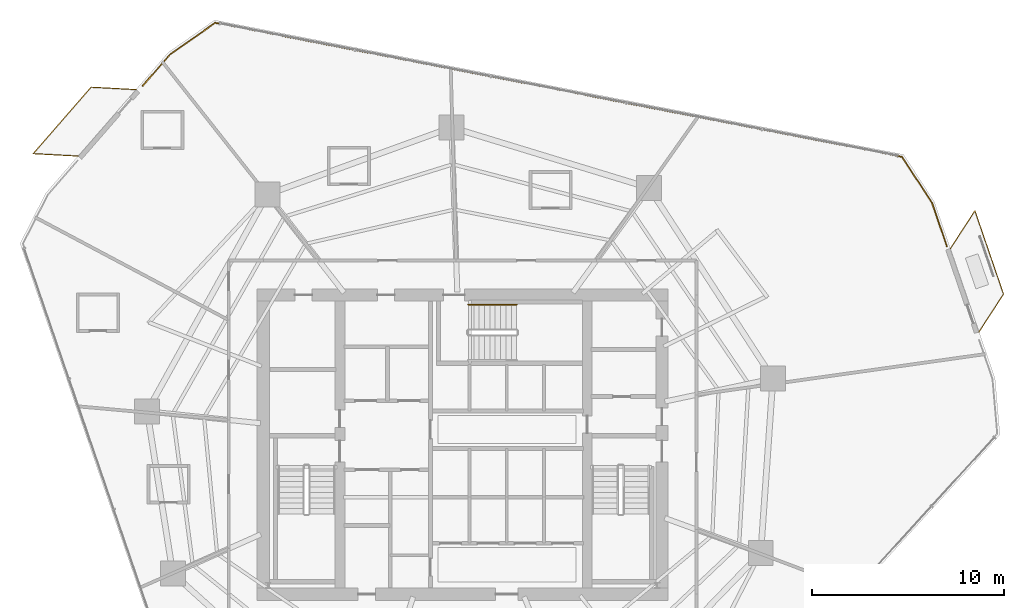
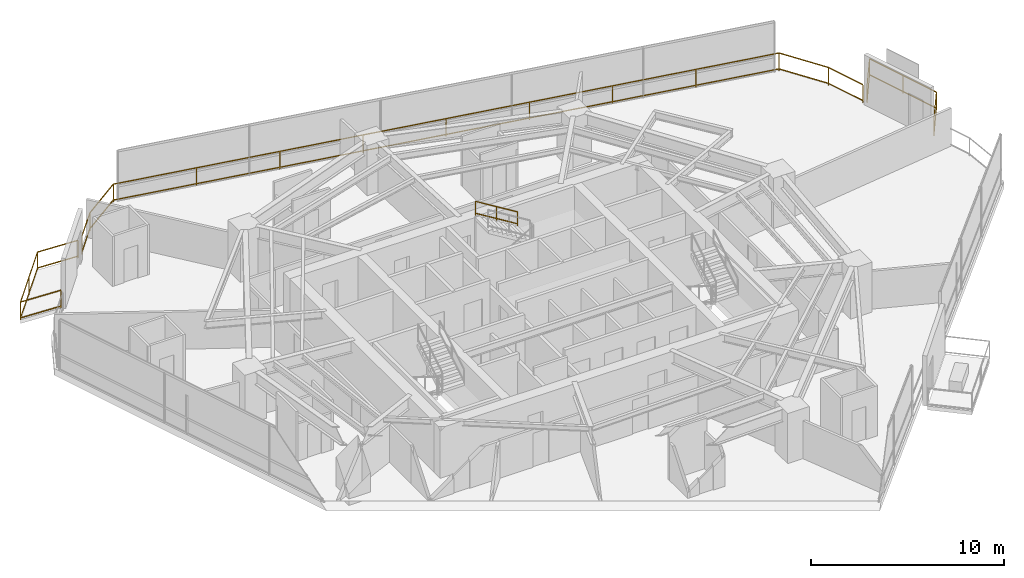
# One storey, part 33 of 33: 5 railings.
"""IFC4 building model written with IfcOpenShell, lengths in metres."""

from ifc_helpers import new_model, si_unit, direction, frame, origin, origin_2d, place, context, subcontext, project, spatial, rectangle, extrude, material, type_object, element, save


model = new_model("IFC4")

# Units and contexts
model_context = context("Model", 3, precision=1e-05, world=origin(), true_north=direction((0.0, 1.0)))
body_context = subcontext(model_context, "Body", "Model", "MODEL_VIEW")
ifc_project = project(units=[si_unit("LENGTHUNIT", "METRE"), si_unit("AREAUNIT", "SQUARE_METRE"), si_unit("VOLUMEUNIT", "CUBIC_METRE"), si_unit("PLANEANGLEUNIT", "RADIAN"), si_unit("MASSUNIT", "GRAM", prefix="KILO")], contexts=[model_context])

# Site, building, storey
site_placement = place(None, origin())
site = spatial("IfcSite", under=ifc_project, at=site_placement, CompositionType="ELEMENT")
building_placement = place(site_placement, origin())
building = spatial("IfcBuilding", under=site, at=building_placement, Name="Qarnah Convention Tower", CompositionType="ELEMENT")
storey_placement = place(building_placement, frame((0.0, 0.0, 27.0)))
storey = spatial("IfcBuildingStorey", under=building, at=storey_placement, Name="L05", CompositionType="ELEMENT", Elevation=27.0)

# Railings
ifc_material_1 = material(Name="Black anodised aluminium", Category="aluminium")
railing_type_1 = type_object("IfcRailingType", Name="RL-EXT-GUARD-1150", PredefinedType="GUARDRAIL", material=ifc_material_1)
railing_1_placement = place(storey_placement, frame((61.68896484375, 38.991943359375, 0.0)))
element("IfcRailing", 1, at=railing_1_placement, inside=storey, type_object=railing_type_1, Name="L05 slab-edge perimeter safety guard 01", PredefinedType="GUARDRAIL", context=body_context, shape_type="SweptSolid", body=[
    extrude(rectangle(XDim=0.048095703125, YDim=0.048095703125, at=origin_2d()), frame((0.0, 0.0, 1.1259765625), z_axis=(0.325191861398, -0.945648059947, 0.0), x_axis=(0.945648059947, 0.325191861398, 0.0)), (0.0, 0.0, 1.0), 2.373779296875),
    extrude(rectangle(XDim=0.048095703125, YDim=0.048095703125, at=origin_2d()), frame((0.0, 0.0, 0.1201171875), z_axis=(0.325191861398, -0.945648059947, 0.0), x_axis=(0.945648059947, 0.325191861398, 0.0)), (0.0, 0.0, 1.0), 2.373779296875),
    extrude(rectangle(XDim=0.0419921875, YDim=0.0419921875, at=origin_2d()), origin(), (0.0, 0.0, 1.0), 1.101806640625),
    extrude(rectangle(XDim=0.0419921875, YDim=0.0419921875, at=origin_2d()), frame((0.77197265625, -2.244873046875, 0.0)), (0.0, 0.0, 1.0), 1.101806640625),
])
railing_2_placement = place(storey_placement, frame((20.511962890625, 45.116943359375, 0.0)))
element("IfcRailing", 2, at=railing_2_placement, inside=storey, type_object=railing_type_1, Name="L05 slab-edge perimeter safety guard 03", PredefinedType="GUARDRAIL", context=body_context, shape_type="SweptSolid", body=[
    extrude(rectangle(XDim=0.048095703125, YDim=0.048095703125, at=origin_2d()), frame((0.0, 0.0, 1.1259765625), z_axis=(0.656368690141, 0.754440284318, 0.0), x_axis=(-0.754440284318, 0.656368690141, 0.0)), (0.0, 0.0, 1.0), 2.163330078125),
    extrude(rectangle(XDim=0.048095703125, YDim=0.048095703125, at=origin_2d()), frame((0.0, 0.0, 0.1201171875), z_axis=(0.656368690141, 0.754440284318, 0.0), x_axis=(-0.754440284318, 0.656368690141, 0.0)), (0.0, 0.0, 1.0), 2.163330078125),
    extrude(rectangle(XDim=0.048095703125, YDim=0.048095703125, at=origin_2d()), frame((1.419921875, 1.632080078125, 1.1259765625), z_axis=(0.819793510399, 0.572659235765, 0.0), x_axis=(-0.572659235765, 0.819793510399, 0.0)), (0.0, 0.0, 1.0), 2.877685546875),
    extrude(rectangle(XDim=0.048095703125, YDim=0.048095703125, at=origin_2d()), frame((1.419921875, 1.632080078125, 0.1201171875), z_axis=(0.819793510399, 0.572659235765, 0.0), x_axis=(-0.572659235765, 0.819793510399, 0.0)), (0.0, 0.0, 1.0), 2.877685546875),
    extrude(rectangle(XDim=0.048095703125, YDim=0.048095703125, at=origin_2d()), frame((3.779052734375, 3.280029296875, 1.1259765625), z_axis=(0.98149491451, -0.191488205359, 0.0), x_axis=(0.191488205359, 0.98149491451, 0.0)), (0.0, 0.0, 1.0), 36.508544921875),
    extrude(rectangle(XDim=0.048095703125, YDim=0.048095703125, at=origin_2d()), frame((3.779052734375, 3.280029296875, 0.1201171875), z_axis=(0.98149491451, -0.191488205359, 0.0), x_axis=(0.191488205359, 0.98149491451, 0.0)), (0.0, 0.0, 1.0), 36.508544921875),
    extrude(rectangle(XDim=0.048095703125, YDim=0.048095703125, at=origin_2d()), frame((39.612060546875, -3.7109375, 1.1259765625), z_axis=(0.543961849812, -0.839109948665, 0.0), x_axis=(0.839109948665, 0.543961849812, 0.0)), (0.0, 0.0, 1.0), 2.876953125),
    extrude(rectangle(XDim=0.048095703125, YDim=0.048095703125, at=origin_2d()), frame((39.612060546875, -3.7109375, 0.1201171875), z_axis=(0.543961849812, -0.839109948665, 0.0), x_axis=(0.839109948665, 0.543961849812, 0.0)), (0.0, 0.0, 1.0), 2.876953125),
    extrude(rectangle(XDim=0.0419921875, YDim=0.0419921875, at=origin_2d()), origin(), (0.0, 0.0, 1.0), 1.101806640625),
    extrude(rectangle(XDim=0.0419921875, YDim=0.0419921875, at=origin_2d()), frame((1.419921875, 1.632080078125, 0.0)), (0.0, 0.0, 1.0), 1.101806640625),
    extrude(rectangle(XDim=0.0419921875, YDim=0.0419921875, at=origin_2d()), frame((3.779052734375, 3.280029296875, 0.0)), (0.0, 0.0, 1.0), 1.101806640625),
    extrude(rectangle(XDim=0.0419921875, YDim=0.0419921875, at=origin_2d()), frame((8.25830078125, 2.40625, 0.0)), (0.0, 0.0, 1.0), 1.101806640625),
    extrude(rectangle(XDim=0.0419921875, YDim=0.0419921875, at=origin_2d()), frame((12.7373046875, 1.5322265625, 0.0)), (0.0, 0.0, 1.0), 1.101806640625),
    extrude(rectangle(XDim=0.0419921875, YDim=0.0419921875, at=origin_2d()), frame((17.21630859375, 0.658447265625, 0.0)), (0.0, 0.0, 1.0), 1.101806640625),
    extrude(rectangle(XDim=0.0419921875, YDim=0.0419921875, at=origin_2d()), frame((21.695556640625, -0.21533203125, 0.0)), (0.0, 0.0, 1.0), 1.101806640625),
    extrude(rectangle(XDim=0.0419921875, YDim=0.0419921875, at=origin_2d()), frame((26.1748046875, -1.08935546875, 0.0)), (0.0, 0.0, 1.0), 1.101806640625),
    extrude(rectangle(XDim=0.0419921875, YDim=0.0419921875, at=origin_2d()), frame((30.65380859375, -1.963134765625, 0.0)), (0.0, 0.0, 1.0), 1.101806640625),
    extrude(rectangle(XDim=0.0419921875, YDim=0.0419921875, at=origin_2d()), frame((35.1328125, -2.837158203125, 0.0)), (0.0, 0.0, 1.0), 1.101806640625),
    extrude(rectangle(XDim=0.0419921875, YDim=0.0419921875, at=origin_2d()), frame((39.612060546875, -3.7109375, 0.0)), (0.0, 0.0, 1.0), 1.101806640625),
    extrude(rectangle(XDim=0.0419921875, YDim=0.0419921875, at=origin_2d()), frame((41.177001953125, -6.125, 0.0)), (0.0, 0.0, 1.0), 1.101806640625),
])
railing_3_placement = place(storey_placement, frame((62.64501953125, 36.626953125, 0.0)))
element("IfcRailing", 3, at=railing_3_placement, inside=storey, type_object=railing_type_1, Name="L05 balcony safety guard BAL-L05-C1", PredefinedType="GUARDRAIL", context=body_context, shape_type="SweptSolid", body=[
    extrude(rectangle(XDim=0.048095703125, YDim=0.048095703125, at=origin_2d()), frame((0.0, 0.0, 1.1259765625), z_axis=(0.545233230847, 0.838284393258, 0.0), x_axis=(-0.838284393258, 0.545233230847, 0.0)), (0.0, 0.0, 1.0), 2.34765625),
    extrude(rectangle(XDim=0.048095703125, YDim=0.048095703125, at=origin_2d()), frame((0.0, 0.0, 0.1201171875), z_axis=(0.545233230847, 0.838284393258, 0.0), x_axis=(-0.838284393258, 0.545233230847, 0.0)), (0.0, 0.0, 1.0), 2.34765625),
    extrude(rectangle(XDim=0.048095703125, YDim=0.048095703125, at=origin_2d()), frame((1.280029296875, 1.968017578125, 1.1259765625), z_axis=(0.324732685551, -0.945805837863, 0.0), x_axis=(0.945805837863, 0.324732685551, 0.0)), (0.0, 0.0, 1.0), 4.600341796875),
    extrude(rectangle(XDim=0.048095703125, YDim=0.048095703125, at=origin_2d()), frame((1.280029296875, 1.968017578125, 0.1201171875), z_axis=(0.324732685551, -0.945805837863, 0.0), x_axis=(0.945805837863, 0.324732685551, 0.0)), (0.0, 0.0, 1.0), 4.600341796875),
    extrude(rectangle(XDim=0.048095703125, YDim=0.048095703125, at=origin_2d()), frame((2.77392578125, -2.383056640625, 1.1259765625), z_axis=(-0.545233230847, -0.838284393258, 0.0), x_axis=(0.838284393258, -0.545233230847, 0.0)), (0.0, 0.0, 1.0), 2.34765625),
    extrude(rectangle(XDim=0.048095703125, YDim=0.048095703125, at=origin_2d()), frame((2.77392578125, -2.383056640625, 0.1201171875), z_axis=(-0.545233230847, -0.838284393258, 0.0), x_axis=(0.838284393258, -0.545233230847, 0.0)), (0.0, 0.0, 1.0), 2.34765625),
    extrude(rectangle(XDim=0.0419921875, YDim=0.0419921875, at=origin_2d()), origin(), (0.0, 0.0, 1.0), 1.101806640625),
    extrude(rectangle(XDim=0.0419921875, YDim=0.0419921875, at=origin_2d()), frame((1.280029296875, 1.968017578125, 0.0)), (0.0, 0.0, 1.0), 1.101806640625),
    extrude(rectangle(XDim=0.0419921875, YDim=0.0419921875, at=origin_2d()), frame((2.02685546875, -0.20751953125, 0.0)), (0.0, 0.0, 1.0), 1.101806640625),
    extrude(rectangle(XDim=0.0419921875, YDim=0.0419921875, at=origin_2d()), frame((2.77392578125, -2.383056640625, 0.0)), (0.0, 0.0, 1.0), 1.101806640625),
    extrude(rectangle(XDim=0.0419921875, YDim=0.0419921875, at=origin_2d()), frame((1.493896484375, -4.35107421875, 0.0)), (0.0, 0.0, 1.0), 1.101806640625),
])
railing_4_placement = place(storey_placement, frame((17.137939453125, 41.447021484375, 0.0)))
element("IfcRailing", 4, at=railing_4_placement, inside=storey, type_object=railing_type_1, Name="L05 balcony safety guard BAL-L05-C2", PredefinedType="GUARDRAIL", context=body_context, shape_type="SweptSolid", body=[
    extrude(rectangle(XDim=0.048095703125, YDim=0.048095703125, at=origin_2d()), frame((0.0, 0.0, 1.1259765625), z_axis=(-0.998603137133, 0.05283724546, 0.0), x_axis=(-0.05283724546, -0.998603137133, 0.0)), (0.0, 0.0, 1.0), 2.34716796875),
    extrude(rectangle(XDim=0.048095703125, YDim=0.048095703125, at=origin_2d()), frame((0.0, 0.0, 0.1201171875), z_axis=(-0.998603137133, 0.05283724546, 0.0), x_axis=(-0.05283724546, -0.998603137133, 0.0)), (0.0, 0.0, 1.0), 2.34716796875),
    extrude(rectangle(XDim=0.048095703125, YDim=0.048095703125, at=origin_2d()), frame((-2.343994140625, 0.1240234375, 1.1259765625), z_axis=(0.656507142551, 0.754319807363, 0.0), x_axis=(-0.754319807363, 0.656507142551, 0.0)), (0.0, 0.0, 1.0), 4.60009765625),
    extrude(rectangle(XDim=0.048095703125, YDim=0.048095703125, at=origin_2d()), frame((-2.343994140625, 0.1240234375, 0.1201171875), z_axis=(0.656507142551, 0.754319807363, 0.0), x_axis=(-0.754319807363, 0.656507142551, 0.0)), (0.0, 0.0, 1.0), 4.60009765625),
    extrude(rectangle(XDim=0.048095703125, YDim=0.048095703125, at=origin_2d()), frame((0.676025390625, 3.593994140625, 1.1259765625), z_axis=(0.998581099668, -0.053252111554, 0.0), x_axis=(0.053252111554, 0.998581099668, 0.0)), (0.0, 0.0, 1.0), 2.347412109375),
    extrude(rectangle(XDim=0.048095703125, YDim=0.048095703125, at=origin_2d()), frame((0.676025390625, 3.593994140625, 0.1201171875), z_axis=(0.998581099668, -0.053252111554, 0.0), x_axis=(0.053252111554, 0.998581099668, 0.0)), (0.0, 0.0, 1.0), 2.347412109375),
    extrude(rectangle(XDim=0.0419921875, YDim=0.0419921875, at=origin_2d()), origin(), (0.0, 0.0, 1.0), 1.101806640625),
    extrude(rectangle(XDim=0.0419921875, YDim=0.0419921875, at=origin_2d()), frame((-2.343994140625, 0.1240234375, 0.0)), (0.0, 0.0, 1.0), 1.101806640625),
    extrude(rectangle(XDim=0.0419921875, YDim=0.0419921875, at=origin_2d()), frame((-0.833984375, 1.85888671875, 0.0)), (0.0, 0.0, 1.0), 1.101806640625),
    extrude(rectangle(XDim=0.0419921875, YDim=0.0419921875, at=origin_2d()), frame((0.676025390625, 3.593994140625, 0.0)), (0.0, 0.0, 1.0), 1.101806640625),
    extrude(rectangle(XDim=0.0419921875, YDim=0.0419921875, at=origin_2d()), frame((3.02001953125, 3.468994140625, 0.0)), (0.0, 0.0, 1.0), 1.101806640625),
])
ifc_material_2 = material(Name="Structural steel S355JR", Category="steel")
railing_type_2 = type_object("IfcRailingType", Name="RL-STAIR-HAND-900", PredefinedType="HANDRAIL", material=ifc_material_2)
railing_5_placement = place(storey_placement, frame((40.02001953125, 33.699951171875, 1.8974609375)))
element("IfcRailing", 5, at=railing_5_placement, inside=storey, type_object=railing_type_2, Name="L05 ST-3 stair handrail 2", PredefinedType="HANDRAIL", context=body_context, shape_type="SweptSolid", body=[
    extrude(rectangle(XDim=0.048095703125, YDim=0.048095703125, at=origin_2d()), frame((0.0, 0.0, 0.8759765625), z_axis=(-0.851400495292, 0.0, 0.524516154772), x_axis=(0.0, -1.0, 0.0)), (0.0, 0.0, 1.0), 2.9599609375),
    extrude(rectangle(XDim=0.048095703125, YDim=0.048095703125, at=origin_2d()), frame((0.0, 0.0, 0.1201171875), z_axis=(-0.851400495292, 0.0, 0.524516154772), x_axis=(0.0, -1.0, 0.0)), (0.0, 0.0, 1.0), 2.9599609375),
    extrude(rectangle(XDim=0.0419921875, YDim=0.0419921875, at=origin_2d()), origin(), (0.0, 0.0, 1.0), 0.851806640625),
    extrude(rectangle(XDim=0.0419921875, YDim=0.0419921875, at=origin_2d()), frame((-1.260009765625, 0.0, 0.7763671875)), (0.0, 0.0, 1.0), 0.851806640625),
    extrude(rectangle(XDim=0.0419921875, YDim=0.0419921875, at=origin_2d()), frame((-2.52001953125, 0.0, 1.552490234375)), (0.0, 0.0, 1.0), 0.851806640625),
])

save(model, "model.ifc")
